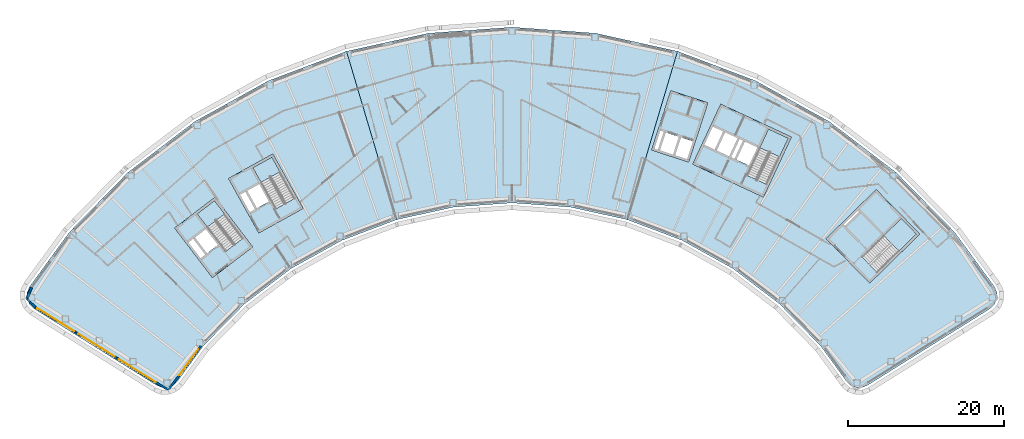
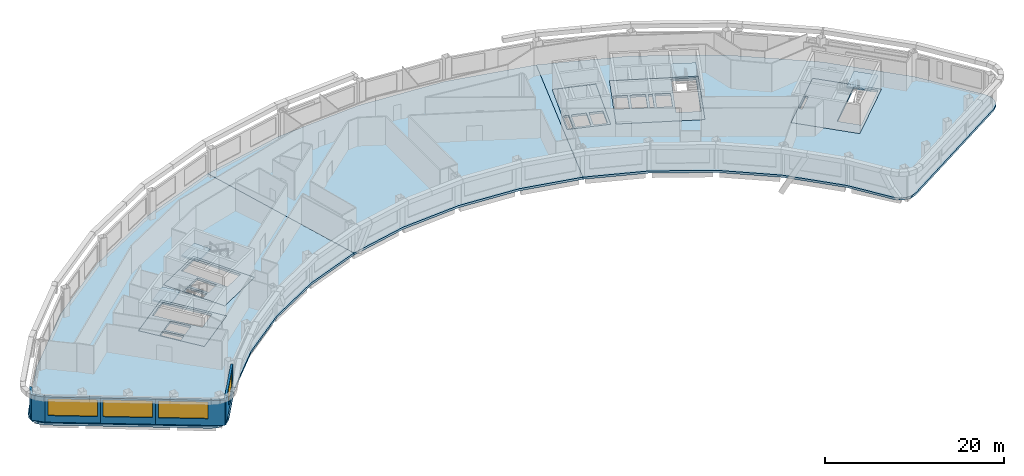
# One storey, part 4 of 13: 12 slabs, 6 walls, 4 windows, 4 openings, 4 elements without a shape of their own.
"""IFC4 building model written with IfcOpenShell, lengths in metres."""

from ifc_helpers import new_model, si_unit, direction, frame, frame_2d, origin, place, context, subcontext, project, spatial, polyline, rectangle, outline, extrude, material, layer, layer_set, type_object, element, fill, aggregate, save


model = new_model("IFC4")

# Units and contexts
model_context = context("Model", 3, precision=1e-05, world=origin(), true_north=direction((0.0, 1.0)))
body_context = subcontext(model_context, "Body", "Model", "MODEL_VIEW")
ifc_project = project(units=[si_unit("LENGTHUNIT", "METRE"), si_unit("AREAUNIT", "SQUARE_METRE"), si_unit("VOLUMEUNIT", "CUBIC_METRE"), si_unit("PLANEANGLEUNIT", "RADIAN"), si_unit("MASSUNIT", "GRAM", prefix="KILO")], contexts=[model_context])

# Site, building, storey
site_placement = place(None, origin())
site = spatial("IfcSite", under=ifc_project, at=site_placement, CompositionType="ELEMENT")
building_placement = place(site_placement, origin())
building = spatial("IfcBuilding", under=site, at=building_placement, Name="Tuul Gate Civic Tower", CompositionType="ELEMENT")
storey_placement = place(building_placement, frame((0.0, 0.0, 340.699951171875)))
storey = spatial("IfcBuildingStorey", under=building, at=storey_placement, Name="Level 77", CompositionType="ELEMENT", Elevation=340.699951171875)

# Slabs
ifc_material_1 = material(Name="Concrete C40/50", Category="concrete")
ifc_layer_1 = layer(ifc_material_1, 0.300048828125)
ifc_layer_set_1 = layer_set([ifc_layer_1], Name="Concrete C40/50")
slab_type_1 = type_object("IfcSlabType", Name="Core floor slab 300", PredefinedType="FLOOR", material=ifc_layer_set_1)
slab_1_placement = place(storey_placement, frame((0.0, 0.0, -0.300048828125)))
element("IfcSlab", 1, at=slab_1_placement, inside=storey, type_object=slab_type_1, Name="FLOOR SLAB", PredefinedType="FLOOR", context=body_context, shape_type="SweptSolid", body=[
    extrude(outline(polyline([(-31.10009765625, -13.7890625), (-35.946044921875, -7.423828125), (-41.11767578125, -11.361572265625), (-36.271484375, -17.726806640625), (-31.10009765625, -13.7890625)]), holes=[polyline([(-35.561767578125, -13.541259765625), (-37.1064453125, -11.512451171875), (-38.498779296875, -12.572509765625), (-36.9541015625, -14.6015625), (-35.561767578125, -13.541259765625)]), polyline([(-37.19287109375, -14.783203125), (-38.737548828125, -12.75439453125), (-39.45361328125, -13.299560546875), (-37.908935546875, -15.328369140625), (-37.19287109375, -14.783203125)]), polyline([(-32.33935546875, -12.65771484375), (-34.56591796875, -14.352783203125), (-38.229736328125, -9.54052734375), (-36.003173828125, -7.845458984375), (-32.33935546875, -12.65771484375)])]), origin(), (0.0, 0.0, 1.0), 0.300048828125),
])
slab_2_placement = place(storey_placement, frame((0.0, 0.0, -0.300048828125)))
element("IfcSlab", 2, at=slab_2_placement, inside=storey, type_object=slab_type_1, Name="FLOOR SLAB", PredefinedType="FLOOR", context=body_context, shape_type="SweptSolid", body=[
    extrude(outline(polyline([(-24.638916015625, -8.846923828125), (-28.51708984375, -1.849853515625), (-34.2021484375, -5.0009765625), (-30.32421875, -11.998046875), (-24.638916015625, -8.846923828125)]), holes=[polyline([(-29.0185546875, -7.958740234375), (-30.254638671875, -5.728515625), (-31.785400390625, -6.576904296875), (-30.54931640625, -8.80712890625), (-29.0185546875, -7.958740234375)]), polyline([(-30.8115234375, -8.95263671875), (-32.047607421875, -6.72216796875), (-32.8349609375, -7.158447265625), (-31.5986328125, -9.388916015625), (-30.8115234375, -8.95263671875)]), polyline([(-25.702392578125, -7.548828125), (-28.14990234375, -8.905517578125), (-31.08203125, -3.615234375), (-28.63427734375, -2.2587890625), (-25.702392578125, -7.548828125)])]), origin(), (0.0, 0.0, 1.0), 0.300048828125),
])
slab_3_placement = place(storey_placement, frame((0.0, 0.0, -0.300048828125)))
element("IfcSlab", 3, at=slab_3_placement, inside=storey, type_object=slab_type_1, Name="FLOOR SLAB", PredefinedType="FLOOR", context=body_context, shape_type="SweptSolid", body=[
    extrude(outline(polyline([(48.117919921875, -18.43310546875), (54.545166015625, -12.1328125), (48.945068359375, -6.419921875), (42.517822265625, -12.719970703125), (48.117919921875, -18.43310546875)]), holes=[polyline([(44.93896484375, -11.046875), (46.760009765625, -9.261962890625), (46.514892578125, -9.011962890625), (44.69384765625, -10.797119140625), (44.93896484375, -11.046875)]), polyline([(49.086181640625, -17.062744140625), (47.12744140625, -15.064208984375), (52.160888671875, -10.130126953125), (54.11962890625, -12.128662109375), (49.086181640625, -17.062744140625)])]), origin(), (0.0, 0.0, 1.0), 0.300048828125),
])
slab_4_placement = place(storey_placement, frame((0.0, 0.0, -0.300048828125)))
element("IfcSlab", 4, at=slab_4_placement, inside=storey, type_object=slab_type_1, Name="FLOOR SLAB", PredefinedType="FLOOR", context=body_context, shape_type="SweptSolid", body=[
    extrude(outline(polyline([(34.465087890625, -7.385986328125), (38.056884765625, 0.31787109375), (28.993896484375, 4.543701171875), (25.40185546875, -3.159912109375), (34.465087890625, -7.385986328125)]), holes=[polyline([(32.60888671875, -3.32080078125), (33.6865234375, -1.009765625), (32.1005859375, -0.27001953125), (31.02294921875, -2.581298828125), (32.60888671875, -3.32080078125)]), polyline([(30.0712890625, -2.137451171875), (31.14892578125, 0.173583984375), (29.562744140625, 0.9130859375), (28.4853515625, -1.39794921875), (30.0712890625, -2.137451171875)]), polyline([(30.751220703125, -2.454345703125), (31.82861328125, -0.143310546875), (31.4208984375, 0.046875), (30.34326171875, -2.264404296875), (30.751220703125, -2.454345703125)]), polyline([(28.21337890625, -1.27099609375), (29.291015625, 1.0400390625), (27.8408203125, 1.71630859375), (26.76318359375, -0.594970703125), (28.21337890625, -1.27099609375)]), polyline([(34.889892578125, -5.7626953125), (32.353759765625, -4.580078125), (35.120849609375, 1.354736328125), (37.6572265625, 0.17236328125), (34.889892578125, -5.7626953125)])]), origin(), (0.0, 0.0, 1.0), 0.300048828125),
])
ifc_material_2 = material(Name="Concrete C40/50", Category="concrete")
ifc_layer_2 = layer(ifc_material_2, 0.300048828125)
ifc_layer_set_2 = layer_set([ifc_layer_2], Name="Concrete C40/50")
slab_type_2 = type_object("IfcSlabType", Name="Core floor slab 300 non-bearing", PredefinedType="FLOOR", material=ifc_layer_set_2)
slab_5_placement = place(storey_placement, frame((0.0, 0.0, -0.300048828125)))
element("IfcSlab", 5, at=slab_5_placement, inside=storey, type_object=slab_type_2, Name="FLOOR SLAB", PredefinedType="FLOOR", context=body_context, shape_type="SweptSolid", body=[
    extrude(outline(polyline([(24.864990234375, -2.888916015625), (27.337890625, 4.71923828125), (22.58251953125, 6.264404296875), (20.109619140625, -1.343994140625), (24.864990234375, -2.888916015625)]), holes=[polyline([(24.67236328125, -2.510986328125), (25.414306640625, -0.228515625), (23.892578125, 0.265869140625), (23.150634765625, -2.0166015625), (24.67236328125, -2.510986328125)]), polyline([(22.865478515625, -1.923828125), (23.607177734375, 0.358642578125), (21.94287109375, 0.8994140625), (21.201171875, -1.383056640625), (22.865478515625, -1.923828125)]), polyline([(20.869384765625, -1.43310546875), (21.65771484375, 0.9921875), (21.0869140625, 1.177490234375), (20.298583984375, -1.24755859375), (20.869384765625, -1.43310546875)])]), origin(), (0.0, 0.0, 1.0), 0.300048828125),
])

# Stair, slab
ifc_material_3 = material(Name="Concrete C40/50", Category="concrete")
stair_type = type_object("IfcStairType", Name="Exit stair", PredefinedType="HALF_TURN_STAIR", material=ifc_material_3)
stair_1_placement = place(storey_placement, origin())
stair_1 = element("IfcStair", 6, at=stair_1_placement, inside=storey, type_object=stair_type, Name="Level 77 ST-1", PredefinedType="HALF_TURN_STAIR")
ifc_material_4 = material(Name="Concrete C40/50", Category="concrete")
ifc_layer_3 = layer(ifc_material_4, 0.199951171875)
ifc_layer_set_3 = layer_set([ifc_layer_3], Name="Concrete C40/50")
slab_type_3 = type_object("IfcSlabType", Name="Exit stair landing", PredefinedType="LANDING", material=ifc_layer_set_3)
slab_6_placement = place(storey_placement, frame((0.0, 0.0, 1.900146484375)))
slab_6 = element("IfcSlab", 7, at=slab_6_placement, type_object=slab_type_3, Name="ST-1 landing 1", PredefinedType="LANDING", context=body_context, shape_type="SweptSolid", body=[
    extrude(outline(polyline([(-34.699462890625, -9.554931640625), (-36.9287109375, -11.252197265625), (-38.23193359375, -9.540283203125), (-36.0029296875, -7.843017578125), (-34.699462890625, -9.554931640625)])), origin(), (0.0, 0.0, 1.0), 0.199951171875),
])
aggregate(stair_1, [slab_6])

stair_2_placement = place(storey_placement, origin())
stair_2 = element("IfcStair", 8, at=stair_2_placement, inside=storey, type_object=stair_type, Name="Level 77 ST-2", PredefinedType="HALF_TURN_STAIR")
slab_7_placement = place(storey_placement, frame((0.0, 0.0, 1.900146484375)))
slab_7 = element("IfcSlab", 9, at=slab_7_placement, type_object=slab_type_3, Name="ST-2 landing 1", PredefinedType="LANDING", context=body_context, shape_type="SweptSolid", body=[
    extrude(outline(polyline([(-27.5908203125, -4.138427734375), (-30.041015625, -5.49658203125), (-31.084228515625, -3.61474609375), (-28.6337890625, -2.256591796875), (-27.5908203125, -4.138427734375)])), origin(), (0.0, 0.0, 1.0), 0.199951171875),
])
aggregate(stair_2, [slab_7])

stair_3_placement = place(storey_placement, origin())
stair_3 = element("IfcStair", 10, at=stair_3_placement, inside=storey, type_object=stair_type, Name="Level 77 ST-3", PredefinedType="HALF_TURN_STAIR")
slab_8_placement = place(storey_placement, frame((0.0, 0.0, 1.900146484375)))
slab_8 = element("IfcSlab", 11, at=slab_8_placement, type_object=slab_type_3, Name="ST-3 landing 1", PredefinedType="LANDING", context=body_context, shape_type="SweptSolid", body=[
    extrude(outline(polyline([(51.871337890625, -14.3349609375), (49.91015625, -12.334228515625), (52.160888671875, -10.1279296875), (54.1220703125, -12.128662109375), (51.871337890625, -14.3349609375)])), origin(), (0.0, 0.0, 1.0), 0.199951171875),
])
aggregate(stair_3, [slab_8])

stair_4_placement = place(storey_placement, origin())
stair_4 = element("IfcStair", 12, at=stair_4_placement, inside=storey, type_object=stair_type, Name="Level 77 ST-4", PredefinedType="HALF_TURN_STAIR")
slab_9_placement = place(storey_placement, frame((0.0, 0.0, 1.900146484375)))
slab_9 = element("IfcSlab", 13, at=slab_9_placement, type_object=slab_type_3, Name="ST-4 landing 1", PredefinedType="LANDING", context=body_context, shape_type="SweptSolid", body=[
    extrude(outline(polyline([(36.538818359375, -2.230224609375), (33.999755859375, -1.046142578125), (35.1201171875, 1.35693359375), (37.659423828125, 0.173095703125), (36.538818359375, -2.230224609375)])), origin(), (0.0, 0.0, 1.0), 0.199951171875),
])
aggregate(stair_4, [slab_9])

# Slabs
ifc_material_5 = material(Name="Concrete C35/45", Category="concrete")
ifc_layer_4 = layer(ifc_material_5, 0.300048828125)
ifc_layer_set_4 = layer_set([ifc_layer_4], Name="Concrete C35/45")
slab_type_4 = type_object("IfcSlabType", Name="STR-FLOOR-SLAB-300", PredefinedType="FLOOR", material=ifc_layer_set_4)
slab_10_placement = place(storey_placement, frame((0.0, 0.0, -0.300048828125)))
element("IfcSlab", 14, at=slab_10_placement, inside=storey, type_object=slab_type_4, Name="Level 77/slab/W", PredefinedType="FLOOR", context=body_context, shape_type="SweptSolid", body=[
    extrude(outline(polyline([(-19.64208984375, -12.94189453125), (-12.6220703125, -10.287109375), (-19.055908203125, 11.3349609375), (-29.125, 7.528076171875), (-38.5390625, 2.30908203125), (-47.10400390625, -4.2119140625), (-54.638916015625, -11.89892578125), (-59.718994140625, -18.85498046875), (-60.055908203125, -19.597900390625), (-60.068115234375, -20.4140625), (-59.7529296875, -21.1669921875), (-59.1640625, -21.73095703125), (-43.43408203125, -31.56005859375), (-42.739990234375, -31.830078125), (-41.9951171875, -31.827880859375), (-41.302978515625, -31.552978515625), (-40.759033203125, -31.0439453125), (-37.429931640625, -26.486083984375), (-32.177001953125, -21.1259765625), (-26.2060546875, -16.580078125), (-19.64208984375, -12.94189453125)]), holes=[polyline([(-31.10009765625, -13.7890625), (-36.27197265625, -17.72705078125), (-41.117919921875, -11.362060546875), (-35.946044921875, -7.424072265625), (-31.10009765625, -13.7890625)]), polyline([(-24.638916015625, -8.846923828125), (-30.323974609375, -11.998046875), (-34.201904296875, -5.0009765625), (-28.51708984375, -1.85009765625), (-24.638916015625, -8.846923828125)])]), origin(), (0.0, 0.0, 1.0), 0.300048828125),
])
slab_11_placement = place(storey_placement, frame((0.0, 0.0, -0.300048828125)))
element("IfcSlab", 15, at=slab_11_placement, inside=storey, type_object=slab_type_4, Name="Level 77/slab/M", PredefinedType="FLOOR", context=body_context, shape_type="SweptSolid", body=[
    extrude(outline(polyline([(17.006103515625, -10.287109375), (23.43994140625, 11.3349609375), (12.927978515625, 13.652099609375), (2.19189453125, 14.428955078125), (-8.5439453125, 13.652099609375), (-19.055908203125, 11.3349609375), (-12.6220703125, -10.287109375), (-5.29296875, -8.672119140625), (2.19189453125, -8.1298828125), (9.677001953125, -8.672119140625), (17.006103515625, -10.287109375)])), origin(), (0.0, 0.0, 1.0), 0.300048828125),
])
slab_12_placement = place(storey_placement, frame((0.0, 0.0, -0.300048828125)))
element("IfcSlab", 16, at=slab_12_placement, inside=storey, type_object=slab_type_4, Name="Level 77/slab/E", PredefinedType="FLOOR", context=body_context, shape_type="SweptSolid", body=[
    extrude(outline(polyline([(47.1240234375, -31.830078125), (47.818115234375, -31.56005859375), (63.548095703125, -21.73095703125), (64.136962890625, -21.1669921875), (64.451904296875, -20.4140625), (64.43994140625, -19.597900390625), (64.10302734375, -18.85498046875), (59.02294921875, -11.89892578125), (51.488037109375, -4.2119140625), (42.923095703125, 2.30908203125), (33.509033203125, 7.528076171875), (23.43994140625, 11.3349609375), (17.006103515625, -10.287109375), (24.02587890625, -12.94189453125), (30.590087890625, -16.580078125), (36.56103515625, -21.1259765625), (41.81396484375, -26.486083984375), (45.14306640625, -31.0439453125), (45.68701171875, -31.552978515625), (46.37890625, -31.827880859375), (47.1240234375, -31.830078125)]), holes=[polyline([(48.117919921875, -18.43310546875), (42.51806640625, -12.719970703125), (48.945068359375, -6.419921875), (54.544921875, -12.133056640625), (48.117919921875, -18.43310546875)]), polyline([(25.402099609375, -3.159912109375), (28.993896484375, 4.5439453125), (38.056884765625, 0.318115234375), (34.465087890625, -7.385986328125), (25.402099609375, -3.159912109375)]), polyline([(20.110107421875, -1.343994140625), (22.58203125, 6.264892578125), (27.337890625, 4.719970703125), (24.864990234375, -2.888916015625), (20.110107421875, -1.343994140625)])]), origin(), (0.0, 0.0, 1.0), 0.300048828125),
])

# Walls
ifc_material_6 = material(Name="Precast concrete C40/50", Category="concrete")
ifc_layer_5 = layer(ifc_material_6, 0.25)
ifc_layer_set_5 = layer_set([ifc_layer_5], Name="Precast concrete C40/50")
wall_type = type_object("IfcWallType", Name="External wall", PredefinedType="STANDARD", material=ifc_layer_set_5)
wall_1_placement = place(storey_placement, frame((-59.484130859375, -18.99560546875, 0.0), z_axis=(0.0, 0.0, 1.0), x_axis=(-0.413463423134, -0.910520728886, 0.0)))
element("IfcWall", 17, at=wall_1_placement, inside=storey, type_object=wall_type, Name="External wall", PredefinedType="STANDARD", context=body_context, shape_type="SweptSolid", body=[
    extrude(rectangle(XDim=1.5712890625, YDim=0.25, at=frame_2d((0.78564453125, 0.0))), origin(), (0.0, 0.0, 1.0), 3.449951171875),
])
wall_2_placement = place(storey_placement, frame((-60.1337890625, -20.42626953125, 0.0), z_axis=(0.0, 0.0, 1.0), x_axis=(0.722162740816, -0.691723193031, 0.0)))
element("IfcWall", 18, at=wall_2_placement, inside=storey, type_object=wall_type, Name="External wall", PredefinedType="STANDARD", context=body_context, shape_type="SweptSolid", body=[
    extrude(rectangle(XDim=1.572021484375, YDim=0.25, at=frame_2d((0.7861328125, 0.0))), origin(), (0.0, 0.0, 1.0), 3.449951171875),
])

# Wall, opening, window
wall_3_placement = place(storey_placement, frame((-59.018798828125, -21.498046875, 0.0), z_axis=(0.0, 0.0, 1.0), x_axis=(0.848053758074, -0.529910203164, 0.0)))
wall_3 = element("IfcWall", 19, at=wall_3_placement, inside=storey, type_object=wall_type, Name="External wall", PredefinedType="STANDARD", context=body_context, shape_type="SweptSolid", body=[
    extrude(rectangle(XDim=6.182861328125, YDim=0.25, at=frame_2d((3.09130859375, 0.0))), origin(), (0.0, 0.0, 1.0), 3.449951171875),
])
opening_1_placement = place(wall_3_placement, frame((0.31640625, 0.0, 0.89990234375)))
opening_1 = element("IfcOpeningElement", 20, at=opening_1_placement, cuts=wall_3, Name="Opening W24", PredefinedType="OPENING", context=body_context, shape_type="SweptSolid", body=[
    extrude(rectangle(XDim=5.550048828125, YDim=2.300048828125, at=frame_2d((2.77490234375, 1.14990234375))), frame((0.0, 0.135009765625, 0.0), z_axis=(0.0, -1.0, 0.0), x_axis=(1.0, 0.0, 0.0)), (0.0, 0.0, 1.0), 0.27001953125),
])
ifc_material_7 = material(Name="Glass", Category="glass")
window_type_1 = type_object("IfcWindowType", Name="Window W24 5550 x 2300", PartitioningType="SINGLE_PANEL", PredefinedType="WINDOW", material=ifc_material_7)
window_1_placement = place(opening_1_placement, origin())
window_1 = element("IfcWindow", 21, at=window_1_placement, inside=storey, type_object=window_type_1, Name="Window", OverallHeight=2.300048828125, OverallWidth=5.550048828125, PartitioningType="SINGLE_PANEL", PredefinedType="WINDOW", context=body_context, shape_type="SweptSolid", body=[
    extrude(rectangle(XDim=5.550048828125, YDim=2.300048828125, at=frame_2d((2.77490234375, 1.14990234375))), frame((0.0, 0.030029296875, 0.0), z_axis=(0.0, -1.0, 0.0), x_axis=(1.0, 0.0, 0.0)), (0.0, 0.0, 1.0), 0.06005859375),
])
fill(opening_1, window_1)

wall_4_placement = place(storey_placement, frame((-53.775390625, -24.7744140625, 0.0), z_axis=(0.0, 0.0, 1.0), x_axis=(0.848053758074, -0.529910203164, 0.0)))
wall_4 = element("IfcWall", 22, at=wall_4_placement, inside=storey, type_object=wall_type, Name="External wall", PredefinedType="STANDARD", context=body_context, shape_type="SweptSolid", body=[
    extrude(rectangle(XDim=6.182861328125, YDim=0.25, at=frame_2d((3.09130859375, 0.0))), origin(), (0.0, 0.0, 1.0), 3.449951171875),
])
opening_2_placement = place(wall_4_placement, frame((0.31640625, 0.0, 0.89990234375)))
opening_2 = element("IfcOpeningElement", 23, at=opening_2_placement, cuts=wall_4, Name="Opening W24", PredefinedType="OPENING", context=body_context, shape_type="SweptSolid", body=[
    extrude(rectangle(XDim=5.550048828125, YDim=2.300048828125, at=frame_2d((2.77490234375, 1.14990234375))), frame((0.0, 0.135009765625, 0.0), z_axis=(0.0, -1.0, 0.0), x_axis=(1.0, 0.0, 0.0)), (0.0, 0.0, 1.0), 0.27001953125),
])
window_2_placement = place(opening_2_placement, origin())
window_2 = element("IfcWindow", 24, at=window_2_placement, inside=storey, type_object=window_type_1, Name="Window", OverallHeight=2.300048828125, OverallWidth=5.550048828125, PartitioningType="SINGLE_PANEL", PredefinedType="WINDOW", context=body_context, shape_type="SweptSolid", body=[
    extrude(rectangle(XDim=5.550048828125, YDim=2.300048828125, at=frame_2d((2.77490234375, 1.14990234375))), frame((0.0, 0.030029296875, 0.0), z_axis=(0.0, -1.0, 0.0), x_axis=(1.0, 0.0, 0.0)), (0.0, 0.0, 1.0), 0.06005859375),
])
fill(opening_2, window_2)

wall_5_placement = place(storey_placement, frame((-48.531982421875, -28.05078125, 0.0), z_axis=(0.0, 0.0, 1.0), x_axis=(0.848061701049, -0.529897491233, 0.0)))
wall_5 = element("IfcWall", 25, at=wall_5_placement, inside=storey, type_object=wall_type, Name="External wall", PredefinedType="STANDARD", context=body_context, shape_type="SweptSolid", body=[
    extrude(rectangle(XDim=7.787841796875, YDim=0.25, at=frame_2d((3.89404296875, 0.0))), origin(), (0.0, 0.0, 1.0), 3.449951171875),
])
opening_3_placement = place(wall_5_placement, frame((0.31640625, 0.0, 0.89990234375)))
opening_3 = element("IfcOpeningElement", 26, at=opening_3_placement, cuts=wall_5, Name="Opening W24", PredefinedType="OPENING", context=body_context, shape_type="SweptSolid", body=[
    extrude(rectangle(XDim=5.550048828125, YDim=2.300048828125, at=frame_2d((2.77490234375, 1.14990234375))), frame((0.0, 0.135009765625, 0.0), z_axis=(0.0, -1.0, 0.0), x_axis=(1.0, 0.0, 0.0)), (0.0, 0.0, 1.0), 0.27001953125),
])
window_3_placement = place(opening_3_placement, origin())
window_3 = element("IfcWindow", 27, at=window_3_placement, inside=storey, type_object=window_type_1, Name="Window", OverallHeight=2.300048828125, OverallWidth=5.550048828125, PartitioningType="SINGLE_PANEL", PredefinedType="WINDOW", context=body_context, shape_type="SweptSolid", body=[
    extrude(rectangle(XDim=5.550048828125, YDim=2.300048828125, at=frame_2d((2.77490234375, 1.14990234375))), frame((0.0, 0.030029296875, 0.0), z_axis=(0.0, -1.0, 0.0), x_axis=(1.0, 0.0, 0.0)), (0.0, 0.0, 1.0), 0.06005859375),
])
fill(opening_3, window_3)

wall_6_placement = place(storey_placement, frame((-41.927490234375, -32.177490234375, 0.0), z_axis=(0.0, 0.0, 1.0), x_axis=(0.589749390831, 0.8075863149, 0.0)))
wall_6 = element("IfcWall", 28, at=wall_6_placement, inside=storey, type_object=wall_type, Name="External wall", PredefinedType="STANDARD", context=body_context, shape_type="SweptSolid", body=[
    extrude(rectangle(XDim=7.033935546875, YDim=0.25, at=frame_2d((3.51708984375, 0.0))), origin(), (0.0, 0.0, 1.0), 3.449951171875),
])
opening_4_placement = place(wall_6_placement, frame((2.357666015625, 0.0, 0.89990234375)))
opening_4 = element("IfcOpeningElement", 29, at=opening_4_placement, cuts=wall_6, Name="Opening W25", PredefinedType="OPENING", context=body_context, shape_type="SweptSolid", body=[
    extrude(rectangle(XDim=4.14990234375, YDim=2.300048828125, at=frame_2d((2.074951171875, 1.14990234375))), frame((0.0, 0.135009765625, 0.0), z_axis=(0.0, -1.0, 0.0), x_axis=(1.0, 0.0, 0.0)), (0.0, 0.0, 1.0), 0.27001953125),
])
ifc_material_8 = material(Name="Glass", Category="glass")
window_type_2 = type_object("IfcWindowType", Name="Window W25 4150 x 2300", PartitioningType="SINGLE_PANEL", PredefinedType="WINDOW", material=ifc_material_8)
window_4_placement = place(opening_4_placement, origin())
window_4 = element("IfcWindow", 30, at=window_4_placement, inside=storey, type_object=window_type_2, Name="Window", OverallHeight=2.300048828125, OverallWidth=4.14990234375, PartitioningType="SINGLE_PANEL", PredefinedType="WINDOW", context=body_context, shape_type="SweptSolid", body=[
    extrude(rectangle(XDim=4.14990234375, YDim=2.300048828125, at=frame_2d((2.074951171875, 1.14990234375))), frame((0.0, 0.030029296875, 0.0), z_axis=(0.0, -1.0, 0.0), x_axis=(1.0, 0.0, 0.0)), (0.0, 0.0, 1.0), 0.06005859375),
])
fill(opening_4, window_4)

save(model, "model.ifc")
